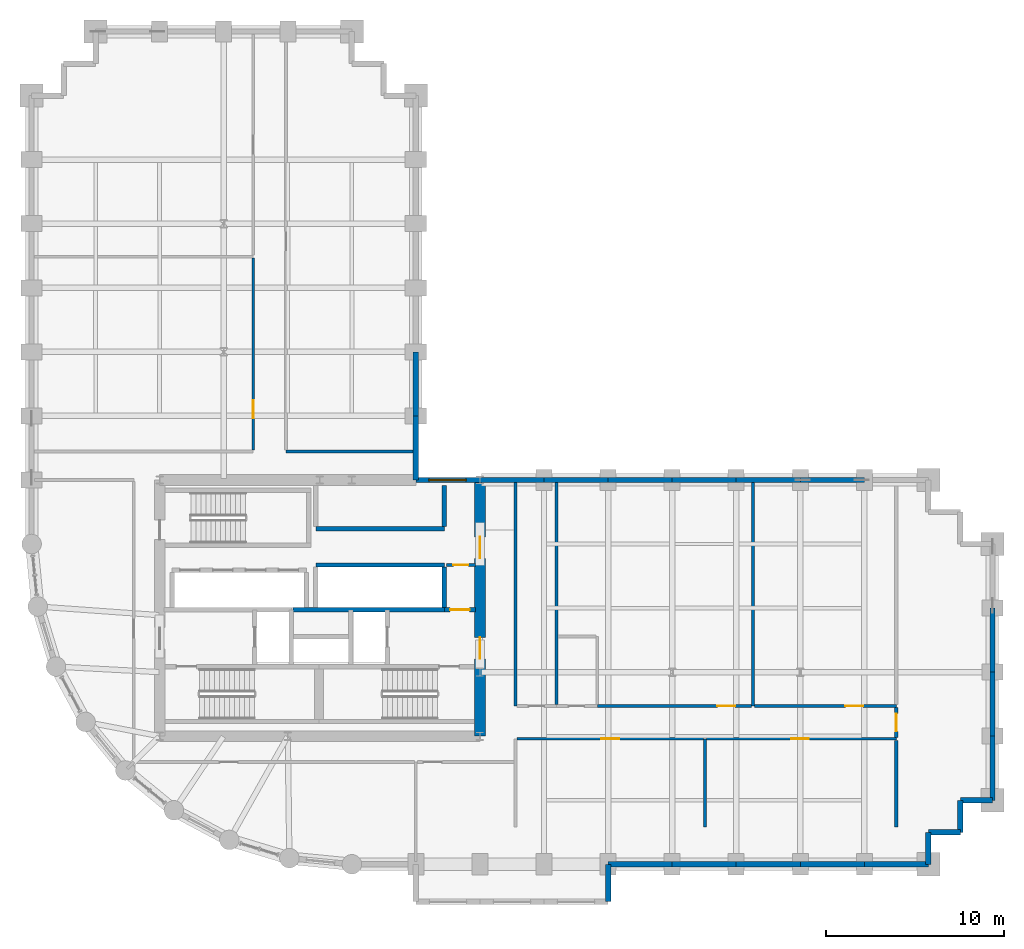
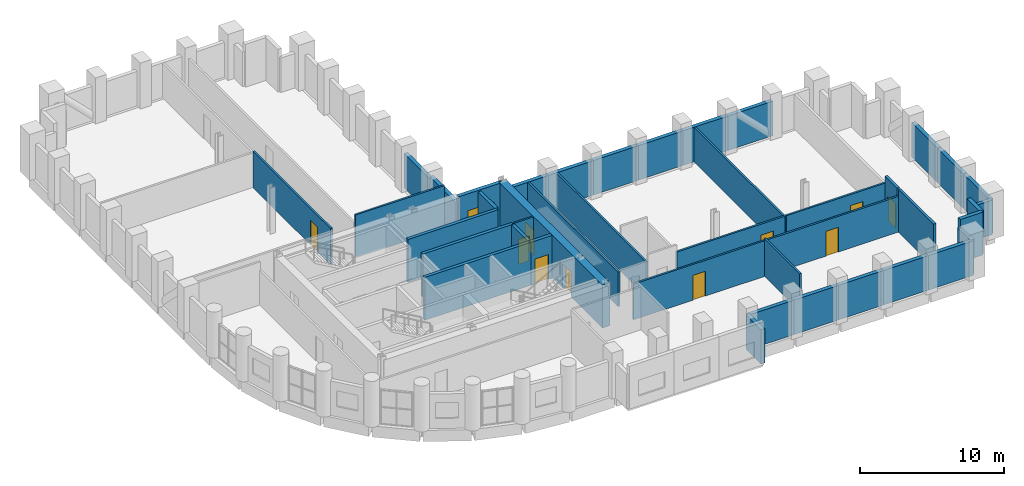
# One storey, part 10 of 12: 42 walls, 10 doors, 1 window, 11 openings.
"""IFC4 building model written with IfcOpenShell, lengths in metres."""

import ifcopenshell
import ifcopenshell.guid

model = None  # the IFC model being written
_history = None  # IfcOwnerHistory: only IFC2X3 demands one
_inside = {}  # id of a spatial element -> (the spatial element, [elements in it])
_under = {}  # id of a project, library or spatial element -> (it, [spatial elements below it])
_declared = {}  # id of a project -> (the project, [libraries it declares])
_typed = {}  # id of a type object -> (the type object, [elements of that type])
_made_of = {}  # id of a material, layer set ... -> (it, [elements and type objects made of it])


def new_model(schema):
    """Start an empty IFC model of exactly this schema.

    Asked for "IFC4X3", IfcOpenShell would pick the latest addendum, in which some entities
    have other attributes; the version numbers below select the first issue.
    IFC2X3 requires an IfcOwnerHistory on every rooted entity: one is made here for all.
    """
    global model, _history
    if schema == "IFC4X3":
        model = ifcopenshell.file(schema_version=(4, 3, 0, 0))
    else:
        model = ifcopenshell.file(schema=schema)
    _inside.clear()
    _under.clear()
    _declared.clear()
    _typed.clear()
    _made_of.clear()
    _history = None
    if model.schema == "IFC2X3":
        org = make("IfcOrganization", Name="unknown")
        user = make(
            "IfcPersonAndOrganization",
            ThePerson=make("IfcPerson", FamilyName="unknown"),
            TheOrganization=org,
        )
        app = make(
            "IfcApplication",
            ApplicationDeveloper=org,
            Version="unknown",
            ApplicationFullName="unknown",
            ApplicationIdentifier="unknown",
        )
        _history = make(
            "IfcOwnerHistory",
            OwningUser=user,
            OwningApplication=app,
            ChangeAction="ADDED",
            CreationDate=0,
        )
    return model


def make(cls, **values):
    """One entity of the class cls with the attributes given. An attribute that is None is left unset."""
    return model.create_entity(
        cls, **{name: value for name, value in values.items() if value is not None}
    )


def rooted(cls, **values):
    """An entity with a GlobalId (a new one), such as an element, a storey or a relation."""
    return make(cls, GlobalId=ifcopenshell.guid.new(), OwnerHistory=_history, **values)


def si_unit(unit_type, name, prefix=None):
    """IfcSIUnit, for example si_unit("LENGTHUNIT", "METRE", prefix="MILLI")."""
    return make("IfcSIUnit", UnitType=unit_type, Prefix=prefix, Name=name)


def assignment(units):
    """IfcUnitAssignment: the units of a project."""
    return None if units is None else make("IfcUnitAssignment", Units=units)


def point(xyz):
    """IfcCartesianPoint."""
    return None if xyz is None else make("IfcCartesianPoint", Coordinates=xyz)


def direction(xyz):
    """IfcDirection."""
    return None if xyz is None else make("IfcDirection", DirectionRatios=xyz)


def frame(location, z_axis=None, x_axis=None):
    """IfcAxis2Placement3D, a coordinate frame: its origin and axes. An axis left out is left unset."""
    return make(
        "IfcAxis2Placement3D",
        Location=point(location),
        Axis=direction(z_axis),
        RefDirection=direction(x_axis),
    )


def frame_2d(location, x_axis=None):
    """IfcAxis2Placement2D, a coordinate frame in the plane: its origin and x axis."""
    return make(
        "IfcAxis2Placement2D", Location=point(location), RefDirection=direction(x_axis)
    )


def origin():
    """The frame at (0, 0, 0) with its axes left unset."""
    return frame((0.0, 0.0, 0.0))


def place(relative_to, where):
    """IfcLocalPlacement: puts the frame where relative to a parent placement (None: the world)."""
    return make(
        "IfcLocalPlacement", PlacementRelTo=relative_to, RelativePlacement=where
    )


def context(
    kind, dimensions, precision=None, world=None, true_north=None, identifier=None
):
    """IfcGeometricRepresentationContext, for example the 3D "Model" context."""
    return make(
        "IfcGeometricRepresentationContext",
        ContextIdentifier=identifier,
        ContextType=kind,
        CoordinateSpaceDimension=dimensions,
        Precision=precision,
        WorldCoordinateSystem=world,
        TrueNorth=true_north,
    )


def subcontext(parent, identifier, kind, view, scale=None):
    """IfcGeometricRepresentationSubContext, for example "Body" below "Model"."""
    return make(
        "IfcGeometricRepresentationSubContext",
        ContextIdentifier=identifier,
        ContextType=kind,
        ParentContext=parent,
        TargetScale=scale,
        TargetView=view,
    )


def project(units=None, contexts=None):
    """IfcProject with its units and contexts."""
    return rooted(
        "IfcProject",
        Name="project",
        RepresentationContexts=contexts,
        UnitsInContext=assignment(units),
    )


def spatial(cls, under=None, at=None, **own):
    """A site, building, storey or space (cls), placed at a placement, below another one or the project."""
    s = rooted(cls, ObjectPlacement=at, **own)
    if under is not None:
        _under.setdefault(under.id(), (under, []))[1].append(s)
    return s


def profile(cls, at=None, kind="AREA", **sizes):
    """A parametric profile (cls). Its sizes go by their IFC names, for example OverallWidth=200.0."""
    return make(cls, ProfileType=kind, Position=at, **sizes)


def rectangle(**sizes):
    """IfcRectangleProfileDef."""
    return profile("IfcRectangleProfileDef", **sizes)


def extrude(swept, where, along, depth):
    """IfcExtrudedAreaSolid: the profile swept, set in the frame where, extruded along a direction by depth."""
    return make(
        "IfcExtrudedAreaSolid",
        SweptArea=swept,
        Position=where,
        ExtrudedDirection=direction(along),
        Depth=depth,
    )


def shape(context_of_items, identifier, shape_type, items):
    """IfcShapeRepresentation: the items that make up one representation, for example the "Body"."""
    return make(
        "IfcShapeRepresentation",
        ContextOfItems=context_of_items,
        RepresentationIdentifier=identifier,
        RepresentationType=shape_type,
        Items=items,
    )


def material(Name=None, Category=None):
    """IfcMaterial."""
    return make("IfcMaterial", Name=Name, Category=Category)


def layer(
    of_material, thickness, ventilated=None, Name=None, Category=None, Priority=None
):
    """IfcMaterialLayer: one layer of a wall or slab, of a material (None: an air gap)."""
    return make(
        "IfcMaterialLayer",
        Material=of_material,
        LayerThickness=thickness,
        IsVentilated=ventilated,
        Name=Name,
        Category=Category,
        Priority=Priority,
    )


def layer_set(layers, Name=None):
    """IfcMaterialLayerSet."""
    return make("IfcMaterialLayerSet", MaterialLayers=layers, LayerSetName=Name)


def made_of(thing, what):
    """Note that an element or type object is made of a material, layer set ...; save() writes the relation."""
    if what is not None:
        _made_of.setdefault(what.id(), (what, []))[1].append(thing)
    return thing


def type_object(cls, material=None, **own):
    """A type object (cls), such as IfcWallType, which elements share."""
    return made_of(rooted(cls, **own), material)


def element(
    cls,
    number,
    at=None,
    inside=None,
    cuts=None,
    type_object=None,
    material=None,
    context=None,
    identifier="Body",
    shape_type=None,
    held_by="IfcProductDefinitionShape",
    body=None,
    shapes=None,
    **own,
):
    """One element of the class cls, such as IfcWall. Its Tag is "e" and its number.

    at: its placement. inside: the storey or other place that contains it. cuts: it is an
    opening in that element (IfcRelVoidsElement). A single representation is given by context,
    identifier, shape_type and body (its items); several are given by shapes. held_by: the class
    of the entity that holds the representations. save() writes the other relations.
    """
    e = rooted(cls, Tag="e%d" % number, ObjectPlacement=at, **own)
    if body is not None:
        shapes = [shape(context, identifier, shape_type, body)]
    if shapes is not None:
        e.Representation = make(held_by, Representations=shapes)
    if inside is not None:
        _inside.setdefault(inside.id(), (inside, []))[1].append(e)
    if cuts is not None:
        rooted(
            "IfcRelVoidsElement", RelatingBuildingElement=cuts, RelatedOpeningElement=e
        )
    if type_object is not None:
        _typed.setdefault(type_object.id(), (type_object, []))[1].append(e)
    return made_of(e, material)


def fill(opening, filler):
    """IfcRelFillsElement: the door or window that sits in an opening."""
    return rooted(
        "IfcRelFillsElement",
        RelatingOpeningElement=opening,
        RelatedBuildingElement=filler,
    )


def aggregate(whole, parts):
    """IfcRelAggregates: a whole, such as a stair, and the parts it consists of."""
    return rooted("IfcRelAggregates", RelatingObject=whole, RelatedObjects=parts)


def save(model, path):
    """Write the relations noted so far, then the file.

    IfcRelAggregates (storeys below a building ...), IfcRelContainedInSpatialStructure (elements
    in a storey), IfcRelDefinesByType, IfcRelAssociatesMaterial and IfcRelDeclares: one each for
    every whole, place, type object, material and project.
    """
    for whole, parts in _under.values():
        aggregate(whole, parts)
    for where, things in _inside.values():
        rooted(
            "IfcRelContainedInSpatialStructure",
            RelatedElements=things,
            RelatingStructure=where,
        )
    for kind, things in _typed.values():
        rooted("IfcRelDefinesByType", RelatedObjects=things, RelatingType=kind)
    for what, things in _made_of.values():
        rooted("IfcRelAssociatesMaterial", RelatedObjects=things, RelatingMaterial=what)
    for by, libraries in _declared.values():
        rooted("IfcRelDeclares", RelatingContext=by, RelatedDefinitions=libraries)
    model.write(path)


model = new_model("IFC4")

# Units and contexts
model_context = context("Model", 3, precision=1e-05, world=origin(), true_north=direction((0.0, 1.0)))
body_context = subcontext(model_context, "Body", "Model", "MODEL_VIEW")
ifc_project = project(units=[si_unit("LENGTHUNIT", "METRE"), si_unit("AREAUNIT", "SQUARE_METRE"), si_unit("VOLUMEUNIT", "CUBIC_METRE"), si_unit("PLANEANGLEUNIT", "RADIAN"), si_unit("MASSUNIT", "GRAM", prefix="KILO")], contexts=[model_context])

# Site, building, storey
site_placement = place(None, origin())
site = spatial("IfcSite", under=ifc_project, at=site_placement, CompositionType="ELEMENT")
building_placement = place(site_placement, origin())
building = spatial("IfcBuilding", under=site, at=building_placement, Name="Solnavia Interchange Tower", CompositionType="ELEMENT")
storey_placement = place(building_placement, frame((0.0, 0.0, 27.89990234375)))
storey = spatial("IfcBuildingStorey", under=building, at=storey_placement, Name="L06", CompositionType="ELEMENT", Elevation=27.89990234375)

# Wall
ifc_material_1 = material(Name="Gypsum Acoustic Twin-Stud & Mineral Wool", Category="gypsum")
ifc_layer_1 = layer(ifc_material_1, 0.199951171875)
ifc_layer_set_1 = layer_set([ifc_layer_1], Name="Gypsum Acoustic Twin-Stud & Mineral Wool")
wall_type_1 = type_object("IfcWallType", Name="Wall-ApartmentParty-200", PredefinedType="PARTITIONING", material=ifc_layer_set_1)
wall_1_placement = place(storey_placement, frame((55.800048828125, 5.699951171875, 0.0), z_axis=(0.0, 0.0, 1.0), x_axis=(0.0, 1.0, 0.0)))
element("IfcWall", 1, at=wall_1_placement, inside=storey, type_object=wall_type_1, Name="PTW-L06-20 Interior partition wall", PredefinedType="PARTITIONING", context=body_context, shape_type="SweptSolid", body=[
    extrude(rectangle(XDim=4.87109375, YDim=0.199951171875, at=frame_2d((2.435546875, 0.0))), origin(), (0.0, 0.0, 1.0), 3.635009765625),
])

# Wall, opening, door
wall_2_placement = place(storey_placement, frame((55.800048828125, 10.72900390625, 0.0), z_axis=(0.0, 0.0, 1.0), x_axis=(0.0, 1.0, 0.0)))
wall_2 = element("IfcWall", 2, at=wall_2_placement, inside=storey, type_object=wall_type_1, Name="PTW-L06-22 Interior partition wall", PredefinedType="PARTITIONING", context=body_context, shape_type="SweptSolid", body=[
    extrude(rectangle(XDim=1.69189453125, YDim=0.199951171875, at=frame_2d((0.845947265625, 0.0))), origin(), (0.0, 0.0, 1.0), 3.635009765625),
])
opening_1_placement = place(wall_2_placement, frame((0.339111328125, 0.0, 0.0)))
opening_1 = element("IfcOpeningElement", 3, at=opening_1_placement, cuts=wall_2, Name="Opening DR-06", PredefinedType="OPENING", context=body_context, shape_type="SweptSolid", body=[
    extrude(rectangle(XDim=1.0, YDim=2.10009765625, at=frame_2d((0.5, 1.050048828125))), frame((0.0, 0.10986328125, 0.0), z_axis=(0.0, -1.0, 0.0), x_axis=(1.0, 0.0, 0.0)), (0.0, 0.0, 1.0), 0.219970703125),
])
ifc_material_2 = material(Name="Engineered Timber Acoustic Fire Door", Category="wood")
door_type_1 = type_object("IfcDoorType", Name="Door-FlatEntry-1000x2100", OperationType="SINGLE_SWING_LEFT", PredefinedType="DOOR", material=ifc_material_2)
door_1_placement = place(opening_1_placement, origin())
door_1 = element("IfcDoor", 4, at=door_1_placement, inside=storey, type_object=door_type_1, Name="DR-L06-10 Interior room door", OperationType="SINGLE_SWING_RIGHT", OverallHeight=2.10009765625, OverallWidth=1.0, PredefinedType="DOOR", context=body_context, shape_type="SweptSolid", body=[
    extrude(rectangle(XDim=1.0, YDim=2.10009765625, at=frame_2d((0.5, 1.050048828125))), frame((0.0, 0.02490234375, 0.0), z_axis=(0.0, -1.0, 0.0), x_axis=(1.0, 0.0, 0.0)), (0.0, 0.0, 1.0), 0.050048828125),
])
fill(opening_1, door_1)

# Walls
ifc_material_3 = material(Name="Concrete C40/50", Category="concrete")
ifc_layer_2 = layer(ifc_material_3, 0.300048828125)
ifc_layer_set_2 = layer_set([ifc_layer_2], Name="Concrete C40/50")
wall_type_2 = type_object("IfcWallType", Name="Wall-ExtSpandrel-300", PredefinedType="STANDARD", material=ifc_layer_set_2)
wall_3_placement = place(storey_placement, frame((39.60009765625, 3.60009765625, 0.0), z_axis=(0.0, 0.0, 1.0), x_axis=(0.0, -1.0, 0.0)))
element("IfcWall", 5, at=wall_3_placement, inside=storey, type_object=wall_type_2, Name="EXW-L06-06 Exterior precast spandrel wall", PredefinedType="STANDARD", context=body_context, shape_type="SweptSolid", body=[
    extrude(rectangle(XDim=2.10009765625, YDim=0.300048828125, at=frame_2d((1.050048828125, 0.0))), origin(), (0.0, 0.0, 1.0), 2.93017578125),
])
wall_4_placement = place(storey_placement, frame((43.199951171875, 3.60009765625, 0.0), z_axis=(0.0, 0.0, 1.0), x_axis=(-1.0, 0.0, 0.0)))
element("IfcWall", 6, at=wall_4_placement, inside=storey, type_object=wall_type_2, Name="EXW-L06-07 Exterior precast spandrel wall", PredefinedType="STANDARD", context=body_context, shape_type="SweptSolid", body=[
    extrude(rectangle(XDim=3.599853515625, YDim=0.300048828125, at=frame_2d((1.7998046875, 0.0))), origin(), (0.0, 0.0, 1.0), 2.93017578125),
])
wall_5_placement = place(storey_placement, frame((46.800048828125, 3.60009765625, 0.0), z_axis=(0.0, 0.0, 1.0), x_axis=(-1.0, 0.0, 0.0)))
element("IfcWall", 7, at=wall_5_placement, inside=storey, type_object=wall_type_2, Name="EXW-L06-08 Exterior precast spandrel wall", PredefinedType="STANDARD", context=body_context, shape_type="SweptSolid", body=[
    extrude(rectangle(XDim=3.60009765625, YDim=0.300048828125, at=frame_2d((1.800048828125, 0.0))), origin(), (0.0, 0.0, 1.0), 2.93017578125),
])
wall_6_placement = place(storey_placement, frame((50.39990234375, 3.60009765625, 0.0), z_axis=(0.0, 0.0, 1.0), x_axis=(-1.0, 0.0, 0.0)))
element("IfcWall", 8, at=wall_6_placement, inside=storey, type_object=wall_type_2, Name="EXW-L06-09 Exterior precast spandrel wall", PredefinedType="STANDARD", context=body_context, shape_type="SweptSolid", body=[
    extrude(rectangle(XDim=3.599853515625, YDim=0.300048828125, at=frame_2d((1.7998046875, 0.0))), origin(), (0.0, 0.0, 1.0), 2.93017578125),
])
for number, where, z_axis, x_axis, name in (
    (9, (54.0, 3.60009765625, 0.0), (0.0, 0.0, 1.0), (-1.0, 0.0, 0.0), "EXW-L06-10 Exterior precast spandrel wall"),
    (10, (57.60009765625, 3.60009765625, 0.0), (0.0, 0.0, 1.0), (-1.0, 0.0, 0.0), "EXW-L06-11 Exterior precast spandrel wall"),
):
    element("IfcWall", number, at=place(storey_placement, frame(where, z_axis=z_axis, x_axis=x_axis)), inside=storey, type_object=wall_type_2, Name=name, PredefinedType="STANDARD", context=body_context, shape_type="SweptSolid", body=[
        extrude(rectangle(XDim=3.60009765625, YDim=0.300048828125, at=frame_2d((1.800048828125, 0.0))), origin(), (0.0, 0.0, 1.0), 2.93017578125),
    ])
wall_7_placement = place(storey_placement, frame((57.60009765625, 5.39990234375, 0.0), z_axis=(0.0, 0.0, 1.0), x_axis=(0.0, -1.0, 0.0)))
element("IfcWall", 11, at=wall_7_placement, inside=storey, type_object=wall_type_2, Name="EXW-L06-12 Exterior precast spandrel wall", PredefinedType="STANDARD", context=body_context, shape_type="SweptSolid", body=[
    extrude(rectangle(XDim=1.7998046875, YDim=0.300048828125, at=frame_2d((0.89990234375, 0.0))), origin(), (0.0, 0.0, 1.0), 2.93017578125),
])
wall_8_placement = place(storey_placement, frame((59.39990234375, 5.39990234375, 0.0), z_axis=(0.0, 0.0, 1.0), x_axis=(-1.0, 0.0, 0.0)))
element("IfcWall", 12, at=wall_8_placement, inside=storey, type_object=wall_type_2, Name="EXW-L06-13 Exterior precast spandrel wall", PredefinedType="STANDARD", context=body_context, shape_type="SweptSolid", body=[
    extrude(rectangle(XDim=1.7998046875, YDim=0.300048828125, at=frame_2d((0.89990234375, 0.0))), origin(), (0.0, 0.0, 1.0), 3.635009765625),
])
wall_9_placement = place(storey_placement, frame((59.39990234375, 7.199951171875, 0.0), z_axis=(0.0, 0.0, 1.0), x_axis=(0.0, -1.0, 0.0)))
element("IfcWall", 13, at=wall_9_placement, inside=storey, type_object=wall_type_2, Name="EXW-L06-14 Exterior precast spandrel wall", PredefinedType="STANDARD", context=body_context, shape_type="SweptSolid", body=[
    extrude(rectangle(XDim=1.800048828125, YDim=0.300048828125, at=frame_2d((0.89990234375, 0.0))), origin(), (0.0, 0.0, 1.0), 3.635009765625),
])
wall_10_placement = place(storey_placement, frame((61.199951171875, 7.199951171875, 0.0), z_axis=(0.0, 0.0, 1.0), x_axis=(-1.0, 0.0, 0.0)))
element("IfcWall", 14, at=wall_10_placement, inside=storey, type_object=wall_type_2, Name="EXW-L06-15 Exterior precast spandrel wall", PredefinedType="STANDARD", context=body_context, shape_type="SweptSolid", body=[
    extrude(rectangle(XDim=1.800048828125, YDim=0.300048828125, at=frame_2d((0.89990234375, 0.0))), origin(), (0.0, 0.0, 1.0), 2.93017578125),
])
wall_11_placement = place(storey_placement, frame((61.199951171875, 10.800048828125, 0.0), z_axis=(0.0, 0.0, 1.0), x_axis=(0.0, -1.0, 0.0)))
element("IfcWall", 15, at=wall_11_placement, inside=storey, type_object=wall_type_2, Name="EXW-L06-16 Exterior precast spandrel wall", PredefinedType="STANDARD", context=body_context, shape_type="SweptSolid", body=[
    extrude(rectangle(XDim=3.60009765625, YDim=0.300048828125, at=frame_2d((1.800048828125, 0.0))), origin(), (0.0, 0.0, 1.0), 2.93017578125),
])
wall_12_placement = place(storey_placement, frame((61.199951171875, 14.39990234375, 0.0), z_axis=(0.0, 0.0, 1.0), x_axis=(0.0, -1.0, 0.0)))
element("IfcWall", 16, at=wall_12_placement, inside=storey, type_object=wall_type_2, Name="EXW-L06-17 Exterior precast spandrel wall", PredefinedType="STANDARD", context=body_context, shape_type="SweptSolid", body=[
    extrude(rectangle(XDim=3.599853515625, YDim=0.300048828125, at=frame_2d((1.7998046875, 0.0))), origin(), (0.0, 0.0, 1.0), 2.93017578125),
])
for number, where, z_axis, x_axis, name in (
    (17, (61.199951171875, 18.0, 0.0), (0.0, 0.0, 1.0), (0.0, -1.0, 0.0), "EXW-L06-18 Exterior precast spandrel wall"),
    (18, (50.39990234375, 25.199951171875, 0.0), (0.0, 0.0, 1.0), (1.0, 0.0, 0.0), "EXW-L06-25 Exterior precast spandrel wall"),
):
    element("IfcWall", number, at=place(storey_placement, frame(where, z_axis=z_axis, x_axis=x_axis)), inside=storey, type_object=wall_type_2, Name=name, PredefinedType="STANDARD", context=body_context, shape_type="SweptSolid", body=[
        extrude(rectangle(XDim=3.60009765625, YDim=0.300048828125, at=frame_2d((1.800048828125, 0.0))), origin(), (0.0, 0.0, 1.0), 2.93017578125),
    ])
wall_13_placement = place(storey_placement, frame((46.800048828125, 25.199951171875, 0.0), z_axis=(0.0, 0.0, 1.0), x_axis=(1.0, 0.0, 0.0)))
element("IfcWall", 19, at=wall_13_placement, inside=storey, type_object=wall_type_2, Name="EXW-L06-26 Exterior precast spandrel wall", PredefinedType="STANDARD", context=body_context, shape_type="SweptSolid", body=[
    extrude(rectangle(XDim=3.599853515625, YDim=0.300048828125, at=frame_2d((1.7998046875, 0.0))), origin(), (0.0, 0.0, 1.0), 2.93017578125),
])
wall_14_placement = place(storey_placement, frame((43.199951171875, 25.199951171875, 0.0), z_axis=(0.0, 0.0, 1.0), x_axis=(1.0, 0.0, 0.0)))
element("IfcWall", 20, at=wall_14_placement, inside=storey, type_object=wall_type_2, Name="EXW-L06-27 Exterior precast spandrel wall", PredefinedType="STANDARD", context=body_context, shape_type="SweptSolid", body=[
    extrude(rectangle(XDim=3.60009765625, YDim=0.300048828125, at=frame_2d((1.800048828125, 0.0))), origin(), (0.0, 0.0, 1.0), 2.93017578125),
])
wall_15_placement = place(storey_placement, frame((39.60009765625, 25.199951171875, 0.0), z_axis=(0.0, 0.0, 1.0), x_axis=(1.0, 0.0, 0.0)))
element("IfcWall", 21, at=wall_15_placement, inside=storey, type_object=wall_type_2, Name="EXW-L06-28 Exterior precast spandrel wall", PredefinedType="STANDARD", context=body_context, shape_type="SweptSolid", body=[
    extrude(rectangle(XDim=3.599853515625, YDim=0.300048828125, at=frame_2d((1.7998046875, 0.0))), origin(), (0.0, 0.0, 1.0), 2.93017578125),
])
for number, where, z_axis, x_axis, name in (
    (22, (36.0, 25.199951171875, 0.0), (0.0, 0.0, 1.0), (1.0, 0.0, 0.0), "EXW-L06-29 Exterior precast spandrel wall"),
    (23, (32.39990234375, 25.199951171875, 0.0), (0.0, 0.0, 1.0), (1.0, 0.0, 0.0), "EXW-L06-30 Exterior precast spandrel wall"),
):
    element("IfcWall", number, at=place(storey_placement, frame(where, z_axis=z_axis, x_axis=x_axis)), inside=storey, type_object=wall_type_2, Name=name, PredefinedType="STANDARD", context=body_context, shape_type="SweptSolid", body=[
        extrude(rectangle(XDim=3.60009765625, YDim=0.300048828125, at=frame_2d((1.800048828125, 0.0))), origin(), (0.0, 0.0, 1.0), 2.93017578125),
    ])

# Wall, opening, window
wall_16_placement = place(storey_placement, frame((28.800048828125, 25.199951171875, 0.0), z_axis=(0.0, 0.0, 1.0), x_axis=(1.0, 0.0, 0.0)))
wall_16 = element("IfcWall", 24, at=wall_16_placement, inside=storey, type_object=wall_type_2, Name="EXW-L06-31 Exterior precast spandrel wall", PredefinedType="STANDARD", context=body_context, shape_type="SweptSolid", body=[
    extrude(rectangle(XDim=3.599853515625, YDim=0.300048828125, at=frame_2d((1.7998046875, 0.0))), origin(), (0.0, 0.0, 1.0), 3.635009765625),
])
opening_2_placement = place(wall_16_placement, frame((0.72802734375, 0.0, 0.85009765625)))
opening_2 = element("IfcOpeningElement", 25, at=opening_2_placement, cuts=wall_16, Name="Opening WIN-01", PredefinedType="OPENING", context=body_context, shape_type="SweptSolid", body=[
    extrude(rectangle(XDim=2.10009765625, YDim=1.35009765625, at=frame_2d((1.050048828125, 0.675048828125))), frame((0.0, 0.16015625, 0.0), z_axis=(0.0, -1.0, 0.0), x_axis=(1.0, 0.0, 0.0)), (0.0, 0.0, 1.0), 0.320068359375),
])
ifc_material_4 = material(Name="Thermal-Break Aluminium & Low-E Glass", Category="aluminium")
window_type = type_object("IfcWindowType", Name="Window-Ribbon-2100x1350", PartitioningType="SINGLE_PANEL", PredefinedType="WINDOW", material=ifc_material_4)
window_placement = place(opening_2_placement, origin())
window = element("IfcWindow", 26, at=window_placement, inside=storey, type_object=window_type, Name="WIN-L06-31 Facade ribbon window", OverallHeight=1.35009765625, OverallWidth=2.10009765625, PartitioningType="SINGLE_PANEL", PredefinedType="WINDOW", context=body_context, shape_type="SweptSolid", body=[
    extrude(rectangle(XDim=2.10009765625, YDim=1.35009765625, at=frame_2d((1.050048828125, 0.675048828125))), frame((0.0, 0.030029296875, 0.0), z_axis=(0.0, -1.0, 0.0), x_axis=(1.0, 0.0, 0.0)), (0.0, 0.0, 1.0), 0.06005859375),
])
fill(opening_2, window)

# Walls
wall_17_placement = place(storey_placement, frame((28.800048828125, 25.199951171875, 0.0), z_axis=(0.0, 0.0, 1.0), x_axis=(0.0, 1.0, 0.0)))
element("IfcWall", 27, at=wall_17_placement, inside=storey, type_object=wall_type_2, Name="EXW-L06-32 Exterior precast spandrel wall", PredefinedType="STANDARD", context=body_context, shape_type="SweptSolid", body=[
    extrude(rectangle(XDim=3.60009765625, YDim=0.300048828125, at=frame_2d((1.800048828125, 0.0))), origin(), (0.0, 0.0, 1.0), 3.14013671875),
])
wall_18_placement = place(storey_placement, frame((28.800048828125, 28.800048828125, 0.0), z_axis=(0.0, 0.0, 1.0), x_axis=(0.0, 1.0, 0.0)))
element("IfcWall", 28, at=wall_18_placement, inside=storey, type_object=wall_type_2, Name="EXW-L06-33 Exterior precast spandrel wall", PredefinedType="STANDARD", context=body_context, shape_type="SweptSolid", body=[
    extrude(rectangle(XDim=3.599853515625, YDim=0.300048828125, at=frame_2d((1.7998046875, 0.0))), origin(), (0.0, 0.0, 1.0), 2.93017578125),
])

# Wall, opening, door
ifc_material_5 = material(Name="Gypsum Plasterboard & Steel Stud", Category="steel")
ifc_layer_3 = layer(ifc_material_5, 0.14990234375)
ifc_layer_set_3 = layer_set([ifc_layer_3], Name="Gypsum Plasterboard & Steel Stud")
wall_type_3 = type_object("IfcWallType", Name="Wall-Partition-150", PredefinedType="PARTITIONING", material=ifc_layer_set_3)
wall_19_placement = place(storey_placement, frame((30.52001953125, 20.419921875, 0.0), z_axis=(0.0, 0.0, 1.0), x_axis=(1.0, 0.0, 0.0)))
wall_19 = element("IfcWall", 29, at=wall_19_placement, inside=storey, type_object=wall_type_3, Name="CSW-L06-SE-N Core shaft wall", PredefinedType="PARTITIONING", context=body_context, shape_type="SweptSolid", body=[
    extrude(rectangle(XDim=1.6298828125, YDim=0.14990234375, at=frame_2d((0.81494140625, 0.0))), origin(), (0.0, 0.0, 1.0), 3.635009765625),
])
opening_3_placement = place(wall_19_placement, frame((0.3798828125, 0.0, 0.0)))
opening_3 = element("IfcOpeningElement", 30, at=opening_3_placement, cuts=wall_19, Name="Opening DR-10", PredefinedType="OPENING", context=body_context, shape_type="SweptSolid", body=[
    extrude(rectangle(XDim=0.85009765625, YDim=2.10009765625, at=frame_2d((0.425048828125, 1.050048828125))), frame((0.0, 0.0849609375, 0.0), z_axis=(0.0, -1.0, 0.0), x_axis=(1.0, 0.0, 0.0)), (0.0, 0.0, 1.0), 0.169921875),
])
ifc_material_6 = material(Name="Moisture-Resistant Timber Door", Category="wood")
door_type_2 = type_object("IfcDoorType", Name="Door-Bathroom-850x2100", OperationType="SINGLE_SWING_RIGHT", PredefinedType="DOOR", material=ifc_material_6)
door_2_placement = place(opening_3_placement, origin())
door_2 = element("IfcDoor", 31, at=door_2_placement, inside=storey, type_object=door_type_2, Name="DR-L06-CSE1 Core fire door", OperationType="SINGLE_SWING_LEFT", OverallHeight=2.10009765625, OverallWidth=0.85009765625, PredefinedType="DOOR", context=body_context, shape_type="SweptSolid", body=[
    extrude(rectangle(XDim=0.85009765625, YDim=2.10009765625, at=frame_2d((0.425048828125, 1.050048828125))), frame((0.0, 0.02490234375, 0.0), z_axis=(0.0, -1.0, 0.0), x_axis=(1.0, 0.0, 0.0)), (0.0, 0.0, 1.0), 0.050048828125),
])
fill(opening_3, door_2)

# Wall
wall_20_placement = place(storey_placement, frame((45.050048828125, 5.699951171875, 0.0), z_axis=(0.0, 0.0, 1.0), x_axis=(0.0, 1.0, 0.0)))
element("IfcWall", 32, at=wall_20_placement, inside=storey, type_object=wall_type_3, Name="PTW-L06-14 Interior partition wall", PredefinedType="PARTITIONING", context=body_context, shape_type="SweptSolid", body=[
    extrude(rectangle(XDim=4.949951171875, YDim=0.14990234375, at=frame_2d((2.47509765625, 0.0))), origin(), (0.0, 0.0, 1.0), 3.18017578125),
])

# Wall, opening, door
wall_21_placement = place(storey_placement, frame((34.47900390625, 10.64990234375, 0.0), z_axis=(0.0, 0.0, 1.0), x_axis=(1.0, 0.0, 0.0)))
wall_21 = element("IfcWall", 33, at=wall_21_placement, inside=storey, type_object=wall_type_3, Name="PTW-L06-15 Interior partition wall", PredefinedType="PARTITIONING", context=body_context, shape_type="SweptSolid", body=[
    extrude(rectangle(XDim=10.491943359375, YDim=0.14990234375, at=frame_2d((5.24609375, 0.0))), origin(), (0.0, 0.0, 1.0), 3.030029296875),
])
opening_4_placement = place(wall_21_placement, frame((4.74609375, 0.0, 0.0)))
opening_4 = element("IfcOpeningElement", 34, at=opening_4_placement, cuts=wall_21, Name="Opening DR-07", PredefinedType="OPENING", context=body_context, shape_type="SweptSolid", body=[
    extrude(rectangle(XDim=1.0, YDim=2.10009765625, at=frame_2d((0.5, 1.050048828125))), frame((0.0, 0.0849609375, 0.0), z_axis=(0.0, -1.0, 0.0), x_axis=(1.0, 0.0, 0.0)), (0.0, 0.0, 1.0), 0.169921875),
])
ifc_material_7 = material(Name="Timber & Acoustic Glazed Office Door", Category="wood")
door_type_3 = type_object("IfcDoorType", Name="Door-Office-1000x2100", OperationType="SINGLE_SWING_RIGHT", PredefinedType="DOOR", material=ifc_material_7)
door_3_placement = place(opening_4_placement, origin())
door_3 = element("IfcDoor", 35, at=door_3_placement, inside=storey, type_object=door_type_3, Name="DR-L06-06 Interior room door", OperationType="SINGLE_SWING_LEFT", OverallHeight=2.10009765625, OverallWidth=1.0, PredefinedType="DOOR", context=body_context, shape_type="SweptSolid", body=[
    extrude(rectangle(XDim=1.0, YDim=2.10009765625, at=frame_2d((0.5, 1.050048828125))), frame((0.0, 0.02490234375, 0.0), z_axis=(0.0, -1.0, 0.0), x_axis=(1.0, 0.0, 0.0)), (0.0, 0.0, 1.0), 0.050048828125),
])
fill(opening_4, door_3)

wall_22_placement = place(storey_placement, frame((45.12890625, 10.64990234375, 0.0), z_axis=(0.0, 0.0, 1.0), x_axis=(1.0, 0.0, 0.0)))
wall_22 = element("IfcWall", 36, at=wall_22_placement, inside=storey, type_object=wall_type_3, Name="PTW-L06-16 Interior partition wall", PredefinedType="PARTITIONING", context=body_context, shape_type="SweptSolid", body=[
    extrude(rectangle(XDim=10.671142578125, YDim=0.14990234375, at=frame_2d((5.33544921875, 0.0))), origin(), (0.0, 0.0, 1.0), 3.030029296875),
])
opening_5_placement = place(wall_22_placement, frame((4.756103515625, 0.0, 0.0)))
opening_5 = element("IfcOpeningElement", 37, at=opening_5_placement, cuts=wall_22, Name="Opening DR-07", PredefinedType="OPENING", context=body_context, shape_type="SweptSolid", body=[
    extrude(rectangle(XDim=1.0, YDim=2.10009765625, at=frame_2d((0.5, 1.050048828125))), frame((0.0, 0.0849609375, 0.0), z_axis=(0.0, -1.0, 0.0), x_axis=(1.0, 0.0, 0.0)), (0.0, 0.0, 1.0), 0.169921875),
])
door_4_placement = place(opening_5_placement, origin())
door_4 = element("IfcDoor", 38, at=door_4_placement, inside=storey, type_object=door_type_3, Name="DR-L06-07 Interior room door", OperationType="SINGLE_SWING_RIGHT", OverallHeight=2.10009765625, OverallWidth=1.0, PredefinedType="DOOR", context=body_context, shape_type="SweptSolid", body=[
    extrude(rectangle(XDim=1.0, YDim=2.10009765625, at=frame_2d((0.5, 1.050048828125))), frame((0.0, 0.02490234375, 0.0), z_axis=(0.0, -1.0, 0.0), x_axis=(1.0, 0.0, 0.0)), (0.0, 0.0, 1.0), 0.050048828125),
])
fill(opening_5, door_4)

# Wall
wall_23_placement = place(storey_placement, frame((47.739990234375, 12.5, 0.0), z_axis=(0.0, 0.0, 1.0), x_axis=(0.0, 1.0, 0.0)))
element("IfcWall", 39, at=wall_23_placement, inside=storey, type_object=wall_type_3, Name="PTW-L06-17 Interior partition wall", PredefinedType="PARTITIONING", context=body_context, shape_type="SweptSolid", body=[
    extrude(rectangle(XDim=12.5458984375, YDim=0.14990234375, at=frame_2d((6.27294921875, 0.0))), origin(), (0.0, 0.0, 1.0), 2.93017578125),
])

# Wall, opening, door
wall_24_placement = place(storey_placement, frame((39.0, 12.5, 0.0), z_axis=(0.0, 0.0, 1.0), x_axis=(1.0, 0.0, 0.0)))
wall_24 = element("IfcWall", 40, at=wall_24_placement, inside=storey, type_object=wall_type_3, Name="PTW-L06-18 Interior partition wall", PredefinedType="PARTITIONING", context=body_context, shape_type="SweptSolid", body=[
    extrude(rectangle(XDim=8.660888671875, YDim=0.14990234375, at=frame_2d((4.33056640625, 0.0))), origin(), (0.0, 0.0, 1.0), 3.0400390625),
])
opening_6_placement = place(wall_24_placement, frame((6.741943359375, 0.0, 0.0)))
opening_6 = element("IfcOpeningElement", 41, at=opening_6_placement, cuts=wall_24, Name="Opening DR-07", PredefinedType="OPENING", context=body_context, shape_type="SweptSolid", body=[
    extrude(rectangle(XDim=1.0, YDim=2.10009765625, at=frame_2d((0.5, 1.050048828125))), frame((0.0, 0.0849609375, 0.0), z_axis=(0.0, -1.0, 0.0), x_axis=(1.0, 0.0, 0.0)), (0.0, 0.0, 1.0), 0.169921875),
])
door_5_placement = place(opening_6_placement, origin())
door_5 = element("IfcDoor", 42, at=door_5_placement, inside=storey, type_object=door_type_3, Name="DR-L06-08 Interior room door", OperationType="SINGLE_SWING_RIGHT", OverallHeight=2.10009765625, OverallWidth=1.0, PredefinedType="DOOR", context=body_context, shape_type="SweptSolid", body=[
    extrude(rectangle(XDim=1.0, YDim=2.10009765625, at=frame_2d((0.5, 1.050048828125))), frame((0.0, 0.02490234375, 0.0), z_axis=(0.0, -1.0, 0.0), x_axis=(1.0, 0.0, 0.0)), (0.0, 0.0, 1.0), 0.050048828125),
])
fill(opening_6, door_5)

wall_25_placement = place(storey_placement, frame((47.819091796875, 12.5, 0.0), z_axis=(0.0, 0.0, 1.0), x_axis=(1.0, 0.0, 0.0)))
wall_25 = element("IfcWall", 43, at=wall_25_placement, inside=storey, type_object=wall_type_3, Name="PTW-L06-19 Interior partition wall", PredefinedType="PARTITIONING", context=body_context, shape_type="SweptSolid", body=[
    extrude(rectangle(XDim=7.98095703125, YDim=0.14990234375, at=frame_2d((3.990478515625, 0.0))), origin(), (0.0, 0.0, 1.0), 3.0400390625),
])
opening_7_placement = place(wall_25_placement, frame((5.114990234375, 0.0, 0.0)))
opening_7 = element("IfcOpeningElement", 44, at=opening_7_placement, cuts=wall_25, Name="Opening DR-07", PredefinedType="OPENING", context=body_context, shape_type="SweptSolid", body=[
    extrude(rectangle(XDim=1.0, YDim=2.10009765625, at=frame_2d((0.5, 1.050048828125))), frame((0.0, 0.0849609375, 0.0), z_axis=(0.0, -1.0, 0.0), x_axis=(1.0, 0.0, 0.0)), (0.0, 0.0, 1.0), 0.169921875),
])
door_6_placement = place(opening_7_placement, origin())
door_6 = element("IfcDoor", 45, at=door_6_placement, inside=storey, type_object=door_type_3, Name="DR-L06-09 Interior room door", OperationType="SINGLE_SWING_RIGHT", OverallHeight=2.10009765625, OverallWidth=1.0, PredefinedType="DOOR", context=body_context, shape_type="SweptSolid", body=[
    extrude(rectangle(XDim=1.0, YDim=2.10009765625, at=frame_2d((0.5, 1.050048828125))), frame((0.0, 0.02490234375, 0.0), z_axis=(0.0, -1.0, 0.0), x_axis=(1.0, 0.0, 0.0)), (0.0, 0.0, 1.0), 0.050048828125),
])
fill(opening_7, door_6)

wall_26_placement = place(storey_placement, frame((19.64990234375, 26.87890625, 0.0), z_axis=(0.0, 0.0, 1.0), x_axis=(0.0, 1.0, 0.0)))
wall_26 = element("IfcWall", 46, at=wall_26_placement, inside=storey, type_object=wall_type_3, Name="PTW-L06-25 Interior partition wall", PredefinedType="PARTITIONING", context=body_context, shape_type="SweptSolid", body=[
    extrude(rectangle(XDim=10.7919921875, YDim=0.14990234375, at=frame_2d((5.39599609375, 0.0))), origin(), (0.0, 0.0, 1.0), 3.080078125),
])
opening_8_placement = place(wall_26_placement, frame((1.79296875, 0.0, 0.0)))
opening_8 = element("IfcOpeningElement", 47, at=opening_8_placement, cuts=wall_26, Name="Opening DR-07", PredefinedType="OPENING", context=body_context, shape_type="SweptSolid", body=[
    extrude(rectangle(XDim=1.0, YDim=2.10009765625, at=frame_2d((0.5, 1.050048828125))), frame((0.0, 0.0849609375, 0.0), z_axis=(0.0, -1.0, 0.0), x_axis=(1.0, 0.0, 0.0)), (0.0, 0.0, 1.0), 0.169921875),
])
door_7_placement = place(opening_8_placement, origin())
door_7 = element("IfcDoor", 48, at=door_7_placement, inside=storey, type_object=door_type_3, Name="DR-L06-11 Interior room door", OperationType="SINGLE_SWING_RIGHT", OverallHeight=2.10009765625, OverallWidth=1.0, PredefinedType="DOOR", context=body_context, shape_type="SweptSolid", body=[
    extrude(rectangle(XDim=1.0, YDim=2.10009765625, at=frame_2d((0.5, 1.050048828125))), frame((0.0, 0.02490234375, 0.0), z_axis=(0.0, -1.0, 0.0), x_axis=(1.0, 0.0, 0.0)), (0.0, 0.0, 1.0), 0.050048828125),
])
fill(opening_8, door_7)

# Walls
wall_27_placement = place(storey_placement, frame((21.5, 26.800048828125, 0.0), z_axis=(0.0, 0.0, 1.0), x_axis=(1.0, 0.0, 0.0)))
element("IfcWall", 49, at=wall_27_placement, inside=storey, type_object=wall_type_3, Name="PTW-L06-27 Interior partition wall", PredefinedType="PARTITIONING", context=body_context, shape_type="SweptSolid", body=[
    extrude(rectangle(XDim=7.14599609375, YDim=0.14990234375, at=frame_2d((3.572998046875, 0.0))), origin(), (0.0, 0.0, 1.0), 3.635009765625),
])
ifc_layer_4 = layer(ifc_material_3, 0.25)
ifc_layer_set_4 = layer_set([ifc_layer_4], Name="Concrete C40/50")
wall_type_4 = type_object("IfcWallType", Name="Wall-ShaftPart-250", PredefinedType="PARTITIONING", material=ifc_layer_set_4)
wall_28_placement = place(storey_placement, frame((21.8798828125, 17.89990234375, 0.0), z_axis=(0.0, 0.0, 1.0), x_axis=(1.0, 0.0, 0.0)))
element("IfcWall", 50, at=wall_28_placement, inside=storey, type_object=wall_type_4, Name="SHW-L06-FFLE-N1 Core shaft wall", PredefinedType="PARTITIONING", context=body_context, shape_type="SweptSolid", body=[
    extrude(rectangle(XDim=8.52001953125, YDim=0.25, at=frame_2d((4.260009765625, 0.0))), origin(), (0.0, 0.0, 1.0), 3.635009765625),
])

# Wall, opening, door
wall_29_placement = place(storey_placement, frame((30.39990234375, 17.89990234375, 0.0), z_axis=(0.0, 0.0, 1.0), x_axis=(1.0, 0.0, 0.0)))
wall_29 = element("IfcWall", 51, at=wall_29_placement, inside=storey, type_object=wall_type_4, Name="SHW-L06-FFLE-N2 Core shaft wall", PredefinedType="PARTITIONING", context=body_context, shape_type="SweptSolid", body=[
    extrude(rectangle(XDim=1.75, YDim=0.25, at=frame_2d((0.875, 0.0))), origin(), (0.0, 0.0, 1.0), 3.635009765625),
])
opening_9_placement = place(wall_29_placement, frame((0.320068359375, 0.0, 0.0)))
opening_9 = element("IfcOpeningElement", 52, at=opening_9_placement, cuts=wall_29, Name="Opening DR-01", PredefinedType="OPENING", context=body_context, shape_type="SweptSolid", body=[
    extrude(rectangle(XDim=1.10009765625, YDim=2.10009765625, at=frame_2d((0.550048828125, 1.050048828125))), frame((0.0, 0.135009765625, 0.0), z_axis=(0.0, -1.0, 0.0), x_axis=(1.0, 0.0, 0.0)), (0.0, 0.0, 1.0), 0.27001953125),
])
ifc_material_8 = material(Name="Steel Fire-Rated Leaf & Frame", Category="steel")
door_type_4 = type_object("IfcDoorType", Name="Door-StairFire-1100x2100", OperationType="SINGLE_SWING_LEFT", PredefinedType="DOOR", material=ifc_material_8)
door_8_placement = place(opening_9_placement, origin())
door_8 = element("IfcDoor", 53, at=door_8_placement, inside=storey, type_object=door_type_4, Name="DR-L06-LLC Core fire door", OperationType="SINGLE_SWING_LEFT", OverallHeight=2.10009765625, OverallWidth=1.10009765625, PredefinedType="DOOR", context=body_context, shape_type="SweptSolid", body=[
    extrude(rectangle(XDim=1.10009765625, YDim=2.10009765625, at=frame_2d((0.550048828125, 1.050048828125))), frame((0.0, 0.02490234375, 0.0), z_axis=(0.0, -1.0, 0.0), x_axis=(1.0, 0.0, 0.0)), (0.0, 0.0, 1.0), 0.050048828125),
])
fill(opening_9, door_8)

# Walls
wall_30_placement = place(storey_placement, frame((23.179931640625, 20.419921875, 0.0), z_axis=(0.0, 0.0, 1.0), x_axis=(1.0, 0.0, 0.0)))
element("IfcWall", 54, at=wall_30_placement, inside=storey, type_object=wall_type_4, Name="SHW-L06-B2N Core shaft wall", PredefinedType="PARTITIONING", context=body_context, shape_type="SweptSolid", body=[
    extrude(rectangle(XDim=7.219970703125, YDim=0.25, at=frame_2d((3.60986328125, 0.0))), origin(), (0.0, 0.0, 1.0), 3.635009765625),
])
wall_31_placement = place(storey_placement, frame((30.39990234375, 18.02490234375, 0.0), z_axis=(0.0, 0.0, 1.0), x_axis=(0.0, 1.0, 0.0)))
element("IfcWall", 55, at=wall_31_placement, inside=storey, type_object=wall_type_4, Name="SHW-L06-B2E Core shaft wall", PredefinedType="PARTITIONING", context=body_context, shape_type="SweptSolid", body=[
    extrude(rectangle(XDim=2.27001953125, YDim=0.25, at=frame_2d((1.135009765625, 0.0))), origin(), (0.0, 0.0, 1.0), 3.635009765625),
])
wall_32_placement = place(storey_placement, frame((23.179931640625, 22.4599609375, 0.0), z_axis=(0.0, 0.0, 1.0), x_axis=(1.0, 0.0, 0.0)))
element("IfcWall", 56, at=wall_32_placement, inside=storey, type_object=wall_type_4, Name="SHW-L06-B3S Core shaft wall", PredefinedType="PARTITIONING", context=body_context, shape_type="SweptSolid", body=[
    extrude(rectangle(XDim=7.219970703125, YDim=0.25, at=frame_2d((3.60986328125, 0.0))), origin(), (0.0, 0.0, 1.0), 3.635009765625),
])
wall_33_placement = place(storey_placement, frame((30.39990234375, 22.5849609375, 0.0), z_axis=(0.0, 0.0, 1.0), x_axis=(0.0, 1.0, 0.0)))
element("IfcWall", 57, at=wall_33_placement, inside=storey, type_object=wall_type_4, Name="SHW-L06-B3E Core shaft wall", PredefinedType="PARTITIONING", context=body_context, shape_type="SweptSolid", body=[
    extrude(rectangle(XDim=2.31494140625, YDim=0.25, at=frame_2d((1.157470703125, 0.0))), origin(), (0.0, 0.0, 1.0), 3.635009765625),
])

# Wall, openings, doors
ifc_material_9 = material(Name="Concrete C60/75", Category="concrete")
ifc_layer_5 = layer(ifc_material_9, 0.60009765625)
ifc_layer_set_5 = layer_set([ifc_layer_5], Name="Concrete C60/75")
wall_type_5 = type_object("IfcWallType", Name="Wall-ShearCore-600", PredefinedType="SHEAR", material=ifc_layer_set_5)
wall_34_placement = place(storey_placement, frame((32.39990234375, 10.800048828125, 0.0), z_axis=(0.0, 0.0, 1.0), x_axis=(0.0, 1.0, 0.0)))
wall_34 = element("IfcWall", 58, at=wall_34_placement, inside=storey, type_object=wall_type_5, Name="CRW-L06-E Core shear wall", PredefinedType="SHEAR", context=body_context, shape_type="SweptSolid", body=[
    extrude(rectangle(XDim=14.39990234375, YDim=0.60009765625, at=frame_2d((7.199951171875, 0.0))), origin(), (0.0, 0.0, 1.0), 3.650146484375),
])
opening_10_placement = place(wall_34_placement, frame((4.35009765625, 0.0, 0.0)))
opening_10 = element("IfcOpeningElement", 59, at=opening_10_placement, cuts=wall_34, Name="Opening DR-02", PredefinedType="OPENING", context=body_context, shape_type="SweptSolid", body=[
    extrude(rectangle(XDim=1.199951171875, YDim=2.10009765625, at=frame_2d((0.60009765625, 1.050048828125))), frame((0.0, 0.31005859375, 0.0), z_axis=(0.0, -1.0, 0.0), x_axis=(1.0, 0.0, 0.0)), (0.0, 0.0, 1.0), 0.6201171875),
])
opening_11_placement = place(wall_34_placement, frame((10.0, 0.0, 0.0)))
opening_11 = element("IfcOpeningElement", 60, at=opening_11_placement, cuts=wall_34, Name="Opening DR-02", PredefinedType="OPENING", context=body_context, shape_type="SweptSolid", body=[
    extrude(rectangle(XDim=1.199951171875, YDim=2.10009765625, at=frame_2d((0.60009765625, 1.050048828125))), frame((0.0, 0.31005859375, 0.0), z_axis=(0.0, -1.0, 0.0), x_axis=(1.0, 0.0, 0.0)), (0.0, 0.0, 1.0), 0.6201171875),
])
ifc_material_10 = material(Name="Steel Fire-Rated Vision-Panel Door", Category="steel")
door_type_5 = type_object("IfcDoorType", Name="Door-LobbyFire-1200x2100", OperationType="SINGLE_SWING_RIGHT", PredefinedType="DOOR", material=ifc_material_10)
door_9_placement = place(opening_10_placement, origin())
door_9 = element("IfcDoor", 61, at=door_9_placement, inside=storey, type_object=door_type_5, Name="DR-L06-FFL2E Core fire door", OperationType="SINGLE_SWING_LEFT", OverallHeight=2.10009765625, OverallWidth=1.199951171875, PredefinedType="DOOR", context=body_context, shape_type="SweptSolid", body=[
    extrude(rectangle(XDim=1.199951171875, YDim=2.10009765625, at=frame_2d((0.60009765625, 1.050048828125))), frame((0.0, 0.02490234375, 0.0), z_axis=(0.0, -1.0, 0.0), x_axis=(1.0, 0.0, 0.0)), (0.0, 0.0, 1.0), 0.050048828125),
])
fill(opening_10, door_9)
door_10_placement = place(opening_11_placement, origin())
door_10 = element("IfcDoor", 62, at=door_10_placement, inside=storey, type_object=door_type_5, Name="DR-L06-LLE Core fire door", OperationType="SINGLE_SWING_RIGHT", OverallHeight=2.10009765625, OverallWidth=1.199951171875, PredefinedType="DOOR", context=body_context, shape_type="SweptSolid", body=[
    extrude(rectangle(XDim=1.199951171875, YDim=2.10009765625, at=frame_2d((0.60009765625, 1.050048828125))), frame((0.0, 0.02490234375, 0.0), z_axis=(0.0, -1.0, 0.0), x_axis=(1.0, 0.0, 0.0)), (0.0, 0.0, 1.0), 0.050048828125),
])
fill(opening_11, door_10)

# Walls
ifc_material_11 = material(Name="Moisture-Resistant Gypsum & Steel Stud", Category="steel")
ifc_layer_6 = layer(ifc_material_11, 0.14990234375)
ifc_layer_set_6 = layer_set([ifc_layer_6], Name="Moisture-Resistant Gypsum & Steel Stud")
wall_type_6 = type_object("IfcWallType", Name="Wall-WetRoom-150", PredefinedType="PARTITIONING", material=ifc_layer_set_6)
wall_35_placement = place(storey_placement, frame((34.39990234375, 12.5, 0.0), z_axis=(0.0, 0.0, 1.0), x_axis=(0.0, 1.0, 0.0)))
element("IfcWall", 63, at=wall_35_placement, inside=storey, type_object=wall_type_6, Name="PTW-L06-01 Interior partition wall", PredefinedType="PARTITIONING", context=body_context, shape_type="SweptSolid", body=[
    extrude(rectangle(XDim=12.5458984375, YDim=0.14990234375, at=frame_2d((6.27294921875, 0.0))), origin(), (0.0, 0.0, 1.0), 2.93017578125),
])
wall_36_placement = place(storey_placement, frame((36.699951171875, 12.5791015625, 0.0), z_axis=(0.0, 0.0, 1.0), x_axis=(0.0, 1.0, 0.0)))
element("IfcWall", 64, at=wall_36_placement, inside=storey, type_object=wall_type_6, Name="PTW-L06-03 Interior partition wall", PredefinedType="PARTITIONING", context=body_context, shape_type="SweptSolid", body=[
    extrude(rectangle(XDim=12.466796875, YDim=0.14990234375, at=frame_2d((6.2333984375, 0.0))), origin(), (0.0, 0.0, 1.0), 2.93017578125),
])

save(model, "model.ifc")
